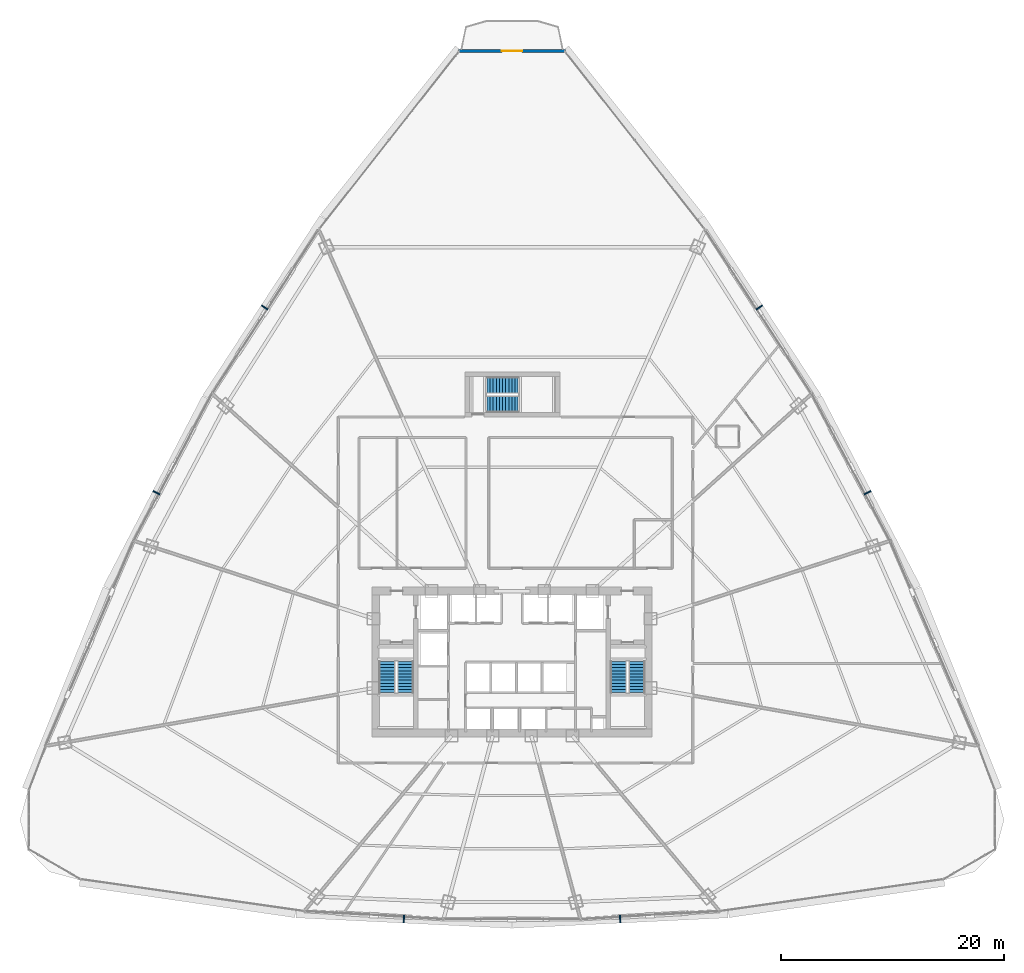
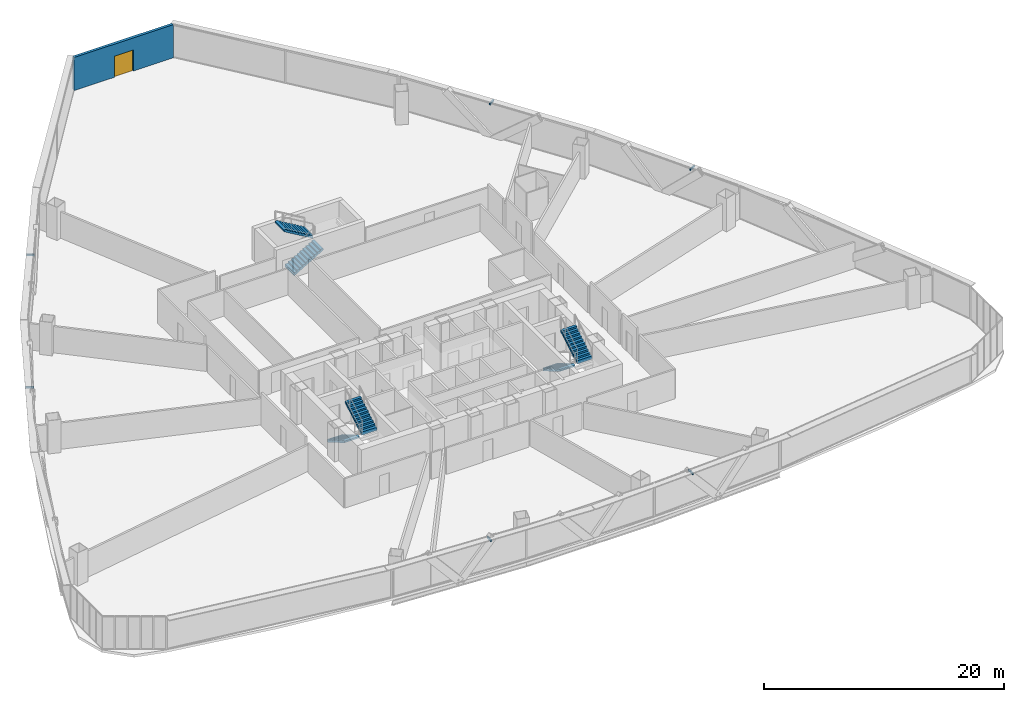
# One storey, part 38 of 42: 6 discrete accessories, 6 stair flights, 1 door, 1 wall, 1 opening, 3 elements without a shape of their own.
"""IFC4 building model written with IfcOpenShell, lengths in metres."""

from ifc_helpers import new_model, si_unit, direction, frame, frame_2d, origin, origin_with_axes, origin_2d, place, context, subcontext, project, spatial, polyline, rectangle, outline, extrude, source, transform, mapped, material, layer, layer_set, type_object, element, fill, aggregate, save


model = new_model("IFC4")

# Units and contexts
model_context = context("Model", 3, precision=1e-05, world=origin(), true_north=direction((0.0, 1.0)))
body_context = subcontext(model_context, "Body", "Model", "MODEL_VIEW")
ifc_project = project(units=[si_unit("LENGTHUNIT", "METRE"), si_unit("AREAUNIT", "SQUARE_METRE"), si_unit("VOLUMEUNIT", "CUBIC_METRE"), si_unit("PLANEANGLEUNIT", "RADIAN"), si_unit("MASSUNIT", "GRAM", prefix="KILO"), si_unit("THERMODYNAMICTEMPERATUREUNIT", "KELVIN"), si_unit("POWERUNIT", "WATT")], contexts=[model_context])

# Site, building, storey
site_placement = place(None, origin())
site = spatial("IfcSite", under=ifc_project, at=site_placement, CompositionType="ELEMENT")
building_placement = place(site_placement, origin())
building = spatial("IfcBuilding", under=site, at=building_placement, Name="Yunzhuo Pagoda Commons", CompositionType="ELEMENT")
storey_placement = place(building_placement, frame((0.0, 0.0, 41.2900390625)))
storey = spatial("IfcBuildingStorey", under=building, at=storey_placement, Name="L10", CompositionType="ELEMENT", Elevation=41.2900390625)

# Wall, opening, door
ifc_material_1 = material(Name="Precast concrete C40", Category="concrete")
ifc_layer = layer(ifc_material_1, 0.260009765625)
ifc_layer_set = layer_set([ifc_layer], Name="Precast concrete C40")
wall_type = type_object("IfcWallType", Name="W-BAL1 Corner Balcony Threshold Wall 260", PredefinedType="STANDARD", material=ifc_layer_set)
wall_placement = place(storey_placement, frame((52.773193359375, 88.565673828125, 0.0), z_axis=(0.0, 0.0, 1.0), x_axis=(-1.0, 0.0, 0.0)))
wall = element("IfcWall", 1, at=wall_placement, inside=storey, type_object=wall_type, Name="L10 corner balcony wall V3", PredefinedType="STANDARD", context=body_context, shape_type="SweptSolid", body=[
    extrude(rectangle(XDim=9.54638671875, YDim=0.260009765625, at=frame_2d((4.773193359375, 0.0))), origin(), (0.0, 0.0, 1.0), 3.369873046875),
])
opening_placement = place(wall_placement, frame((3.873291015625, 0.0, 0.0)))
opening = element("IfcOpeningElement", 2, at=opening_placement, cuts=wall, Name="Opening D-BAL1", PredefinedType="OPENING", context=body_context, shape_type="SweptSolid", body=[
    extrude(rectangle(XDim=1.800048828125, YDim=2.14990234375, at=frame_2d((0.89990234375, 1.074951171875))), frame((0.0, 0.14013671875, 0.0), z_axis=(0.0, -1.0, 0.0), x_axis=(1.0, 0.0, 0.0)), (0.0, 0.0, 1.0), 0.280029296875),
])
ifc_material_2 = material(Name="Anodized aluminium frame and tempered glazed leaf", Category="aluminium")
door_type = type_object("IfcDoorType", Name="D-BAL1 Corner Balcony Sliding Glazed Door 1800x2150", OperationType="DOUBLE_DOOR_SLIDING", PredefinedType="DOOR", material=ifc_material_2)
shared_shape_1 = source(origin(), body_context, "Body", "SweptSolid", [
    extrude(rectangle(XDim=1.800048828125, YDim=2.14990234375, at=frame_2d((0.89990234375, 1.074951171875))), frame((0.0, 0.02490234375, 0.0), z_axis=(0.0, -1.0, 0.0), x_axis=(1.0, 0.0, 0.0)), (0.0, 0.0, 1.0), 0.050048828125),
])
door_placement = place(opening_placement, origin_with_axes())
door = element("IfcDoor", 3, at=door_placement, inside=storey, type_object=door_type, Name="L10 corner balcony sliding door V3", OperationType="DOUBLE_DOOR_SLIDING", OverallHeight=2.14990234375, OverallWidth=1.800048828125, PredefinedType="DOOR", context=body_context, shape_type="MappedRepresentation", body=[
    mapped(shared_shape_1, transform((0.0, 0.0, 0.0), scale=1.0)),
])
fill(opening, door)

# Stair, stair flights
ifc_material_3 = material(Name="Concrete C40", Category="concrete")
stair_type_1 = type_object("IfcStairType", Name="ST-C1 Core Smokeproof Stair ST1", PredefinedType="HALF_TURN_STAIR", material=ifc_material_3)
stair_1_placement = place(storey_placement, origin())
stair_1 = element("IfcStair", 4, at=stair_1_placement, inside=storey, type_object=stair_type_1, Name="L10 Core smokeproof stair ST1", PredefinedType="HALF_TURN_STAIR")
stair_flight_type_1 = type_object("IfcStairFlightType", Name="STF-C1 Core Stair Flight 1450", PredefinedType="STRAIGHT", material=ifc_material_3)
shared_shape_2 = source(origin(), body_context, "Body", "SweptSolid", [
    extrude(outline(polyline([(0.0, -0.14990234375), (0.0, 0.0), (0.0, 0.1650390625), (0.280029296875, 0.1650390625), (0.280029296875, 0.330078125), (0.56005859375, 0.330078125), (0.56005859375, 0.4951171875), (0.840087890625, 0.4951171875), (0.840087890625, 0.659912109375), (1.1201171875, 0.659912109375), (1.1201171875, 0.824951171875), (1.39990234375, 0.824951171875), (1.39990234375, 0.989990234375), (1.679931640625, 0.989990234375), (1.679931640625, 1.155029296875), (1.9599609375, 1.155029296875), (1.9599609375, 1.320068359375), (2.239990234375, 1.320068359375), (2.239990234375, 1.485107421875), (2.52001953125, 1.485107421875), (2.52001953125, 1.64990234375), (2.800048828125, 1.64990234375), (2.800048828125, 1.81494140625), (2.800048828125, 1.47607421875), (0.295166015625, 0.0), (0.050048828125, -0.14990234375), (0.0, -0.14990234375)])), frame((0.0, 0.72509765625, 0.0), z_axis=(0.0, -1.0, 0.0), x_axis=(1.0, 0.0, 0.0)), (0.0, 0.0, 1.0), 1.449951171875),
])
stair_flight_1_placement = place(storey_placement, frame((36.824951171875, 33.89990234375, 0.0), z_axis=(0.0, 0.0, 1.0), x_axis=(0.0, -1.0, 0.0)))
stair_flight_1 = element("IfcStairFlight", 5, at=stair_flight_1_placement, type_object=stair_flight_type_1, Name="ST1 flight 1", NumberOfRisers=11, NumberOfTreads=10, PredefinedType="STRAIGHT", RiserHeight=0.165, TreadLength=0.28, context=body_context, shape_type="MappedRepresentation", body=[
    mapped(shared_shape_2, transform((0.0, 0.0, 0.0), scale=1.0)),
])
stair_flight_2_placement = place(storey_placement, frame((38.47509765625, 31.10009765625, 1.81494140625), z_axis=(0.0, 0.0, 1.0), x_axis=(0.0, 1.0, 0.0)))
stair_flight_2 = element("IfcStairFlight", 6, at=stair_flight_2_placement, type_object=stair_flight_type_1, Name="ST1 flight 2", NumberOfRisers=11, NumberOfTreads=10, PredefinedType="STRAIGHT", RiserHeight=0.165, TreadLength=0.28, context=body_context, shape_type="MappedRepresentation", body=[
    mapped(shared_shape_2, transform((0.0, 0.0, 0.0), scale=1.0)),
])
aggregate(stair_1, [stair_flight_1, stair_flight_2])

stair_type_2 = type_object("IfcStairType", Name="ST-C2 Core Smokeproof Stair ST2", PredefinedType="HALF_TURN_STAIR", material=ifc_material_3)
stair_2_placement = place(storey_placement, origin())
stair_2 = element("IfcStair", 7, at=stair_2_placement, inside=storey, type_object=stair_type_2, Name="L10 Core smokeproof stair ST2", PredefinedType="HALF_TURN_STAIR")
stair_flight_type_2 = type_object("IfcStairFlightType", Name="STF-C2 Core Stair Flight 1460", PredefinedType="STRAIGHT", material=ifc_material_3)
stair_flight_3_placement = place(storey_placement, frame((57.52490234375, 33.89990234375, 0.0), z_axis=(0.0, 0.0, 1.0), x_axis=(0.0, -1.0, 0.0)))
stair_flight_3 = element("IfcStairFlight", 8, at=stair_flight_3_placement, type_object=stair_flight_type_2, Name="ST2 flight 1", NumberOfRisers=11, NumberOfTreads=10, PredefinedType="STRAIGHT", RiserHeight=0.165, TreadLength=0.28, context=body_context, shape_type="MappedRepresentation", body=[
    mapped(shared_shape_2, transform((0.0, 0.0, 0.0), scale=1.0)),
])
stair_flight_4_placement = place(storey_placement, frame((59.175048828125, 31.10009765625, 1.81494140625), z_axis=(0.0, 0.0, 1.0), x_axis=(0.0, 1.0, 0.0)))
stair_flight_4 = element("IfcStairFlight", 9, at=stair_flight_4_placement, type_object=stair_flight_type_2, Name="ST2 flight 2", NumberOfRisers=11, NumberOfTreads=10, PredefinedType="STRAIGHT", RiserHeight=0.165, TreadLength=0.28, context=body_context, shape_type="MappedRepresentation", body=[
    mapped(shared_shape_2, transform((0.0, 0.0, 0.0), scale=1.0)),
])
aggregate(stair_2, [stair_flight_3, stair_flight_4])

stair_type_3 = type_object("IfcStairType", Name="ST-C3 North Tower Smokeproof Stair ST3", PredefinedType="HALF_TURN_STAIR", material=ifc_material_3)
stair_3_placement = place(storey_placement, origin())
stair_3 = element("IfcStair", 10, at=stair_3_placement, inside=storey, type_object=stair_type_3, Name="L10 North tower smokeproof stair ST3", PredefinedType="HALF_TURN_STAIR")
stair_flight_type_3 = type_object("IfcStairFlightType", Name="STF-C3 North Stair Flight 1500", PredefinedType="STRAIGHT", material=ifc_material_3)
shared_shape_3 = source(origin(), body_context, "Body", "SweptSolid", [
    extrude(outline(polyline([(0.0, -0.14990234375), (0.0, 0.0), (0.0, 0.1650390625), (0.280029296875, 0.1650390625), (0.280029296875, 0.330078125), (0.56005859375, 0.330078125), (0.56005859375, 0.4951171875), (0.840087890625, 0.4951171875), (0.840087890625, 0.659912109375), (1.1201171875, 0.659912109375), (1.1201171875, 0.824951171875), (1.39990234375, 0.824951171875), (1.39990234375, 0.989990234375), (1.679931640625, 0.989990234375), (1.679931640625, 1.155029296875), (1.9599609375, 1.155029296875), (1.9599609375, 1.320068359375), (2.239990234375, 1.320068359375), (2.239990234375, 1.485107421875), (2.52001953125, 1.485107421875), (2.52001953125, 1.64990234375), (2.800048828125, 1.64990234375), (2.800048828125, 1.81494140625), (2.800048828125, 1.47607421875), (0.295166015625, 0.0), (0.050048828125, -0.14990234375), (0.0, -0.14990234375)])), frame((0.0, 0.75, 0.0), z_axis=(0.0, -1.0, 0.0), x_axis=(1.0, 0.0, 0.0)), (0.0, 0.0, 1.0), 1.5),
])
stair_flight_5_placement = place(storey_placement, frame((45.75, 56.949951171875, 0.0), z_axis=(0.0, 0.0, 1.0), x_axis=(1.0, 0.0, 0.0)))
stair_flight_5 = element("IfcStairFlight", 11, at=stair_flight_5_placement, type_object=stair_flight_type_3, Name="ST3 flight 1", NumberOfRisers=11, NumberOfTreads=10, PredefinedType="STRAIGHT", RiserHeight=0.165, TreadLength=0.28, context=body_context, shape_type="MappedRepresentation", body=[
    mapped(shared_shape_3, transform((0.0, 0.0, 0.0), scale=1.0)),
])
stair_flight_6_placement = place(storey_placement, frame((48.550048828125, 58.64990234375, 1.81494140625), z_axis=(0.0, 0.0, 1.0), x_axis=(-1.0, 0.0, 0.0)))
stair_flight_6 = element("IfcStairFlight", 12, at=stair_flight_6_placement, type_object=stair_flight_type_3, Name="ST3 flight 2", NumberOfRisers=11, NumberOfTreads=10, PredefinedType="STRAIGHT", RiserHeight=0.165, TreadLength=0.28, context=body_context, shape_type="MappedRepresentation", body=[
    mapped(shared_shape_3, transform((0.0, 0.0, 0.0), scale=1.0)),
])
aggregate(stair_3, [stair_flight_5, stair_flight_6])

# Discrete accessories
ifc_material_4 = material(Name="Anodized aluminium 6063-T6", Category="aluminium")
discrete_accessory_type = type_object("IfcDiscreteAccessoryType", Name="BK-SUN1 Sunshade Outrigger Bracket", PredefinedType="BRACKET", material=ifc_material_4)
shared_shape_4 = source(origin(), body_context, "Body", "SweptSolid", [
    extrude(rectangle(XDim=0.1201171875, YDim=0.679931640625, at=origin_2d()), origin(), (0.0, 0.0, 1.0), 0.179931640625),
])
for number, where, z_axis, x_axis, name in (
    (13, (38.313232421875, 10.8359375, 3.16015625), (0.0, 0.0, 1.0), (0.998818043775, -0.04860571396, 0.0), "L10 sunshade outrigger bracket F1.2"),
    (14, (57.686767578125, 10.8359375, 3.16015625), (0.0, 0.0, 1.0), (0.998818043775, 0.04860571396, 0.0), "L10 sunshade outrigger bracket F1.3"),
    (15, (79.840087890625, 49.005126953125, 3.16015625), (0.0, 0.0, 1.0), (-0.461206683033, 0.88729273384, 0.0), "L10 sunshade outrigger bracket F2.2"),
    (16, (70.1533203125, 65.599853515625, 3.16015625), (0.0, 0.0, 1.0), (-0.545853380833, 0.837880711458, 0.0), "L10 sunshade outrigger bracket F2.3"),
    (17, (25.8466796875, 65.599853515625, 3.16015625), (0.0, 0.0, 1.0), (-0.545853380833, -0.837880711458, 0.0), "L10 sunshade outrigger bracket F3.2"),
    (18, (16.159912109375, 49.005126953125, 3.16015625), (0.0, 0.0, 1.0), (-0.461206683033, -0.88729273384, 0.0), "L10 sunshade outrigger bracket F3.3"),
):
    element("IfcDiscreteAccessory", number, at=place(storey_placement, frame(where, z_axis=z_axis, x_axis=x_axis)), inside=storey, type_object=discrete_accessory_type, Name=name, PredefinedType="BRACKET", context=body_context, shape_type="MappedRepresentation", body=[
        mapped(shared_shape_4, transform((0.0, 0.0, 0.0), scale=1.0)),
    ])

save(model, "model.ifc")
